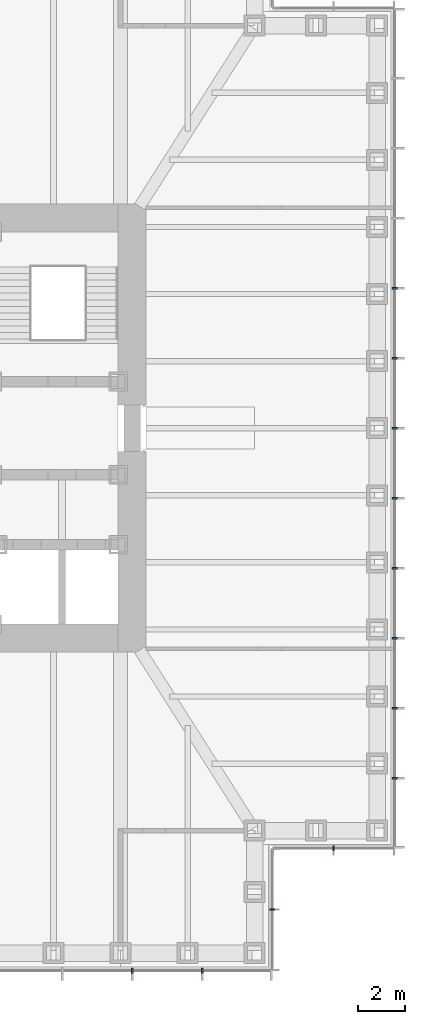
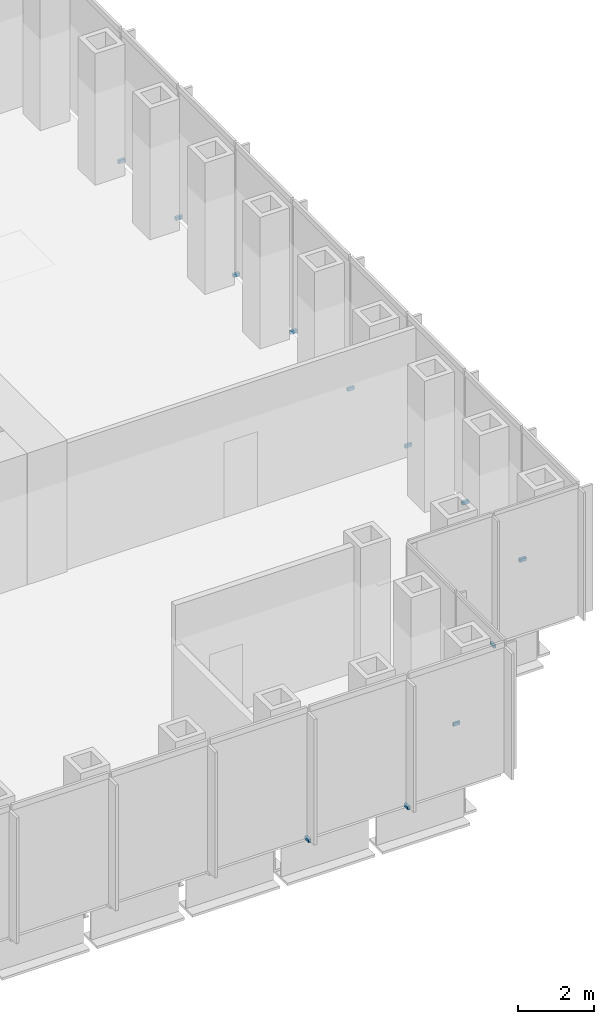
# One storey, part 13 of 16: 12 discrete accessories.
"""IFC4 building model written with IfcOpenShell, lengths in metres."""

from ifc_helpers import new_model, si_unit, direction, frame, origin, origin_2d, place, context, subcontext, project, spatial, rectangle, extrude, element, save


model = new_model("IFC4")

# Units and contexts
model_context = context("Model", 3, precision=1e-05, world=origin(), true_north=direction((0.0, 1.0)))
body_context = subcontext(model_context, "Body", "Model", "MODEL_VIEW")
ifc_project = project(units=[si_unit("LENGTHUNIT", "METRE"), si_unit("AREAUNIT", "SQUARE_METRE"), si_unit("VOLUMEUNIT", "CUBIC_METRE"), si_unit("PLANEANGLEUNIT", "RADIAN"), si_unit("MASSUNIT", "GRAM", prefix="KILO")], contexts=[model_context])

# Site, building, storey
site_placement = place(None, origin())
site = spatial("IfcSite", under=ifc_project, at=site_placement, CompositionType="ELEMENT")
building_placement = place(site_placement, origin())
building = spatial("IfcBuilding", under=site, at=building_placement, Name="Daluyong Arena Tower", CompositionType="ELEMENT")
storey_placement = place(building_placement, frame((0.0, 0.0, 120.699951171875)))
storey = spatial("IfcBuildingStorey", under=building, at=storey_placement, Name="L26", CompositionType="ELEMENT", Elevation=120.699951171875)

# Discrete accessories
for number, where, z_axis, x_axis, name in (
    (1, (68.0, 56.75, -0.10009765625), (0.0, 0.0, 1.0), (1.0, 0.0, 0.0), "curtain wall L26 S anchor bracket 11"),
    (2, (71.0, 56.75, -0.10009765625), (0.0, 0.0, 1.0), (1.0, 0.0, 0.0), "curtain wall L26 S anchor bracket 12"),
):
    element("IfcDiscreteAccessory", number, at=place(storey_placement, frame(where, z_axis=z_axis, x_axis=x_axis)), inside=storey, Name=name, PredefinedType="BRACKET", context=body_context, shape_type="SweptSolid", body=[
        extrude(rectangle(XDim=0.080078125, YDim=0.199951171875, at=origin_2d()), origin(), (0.0, 0.0, 1.0), 0.10009765625),
    ])
for number, where, z_axis, x_axis, name in (
    (3, (74.0, 59.375, -0.10009765625), (0.0, 0.0, 1.0), (0.0, 1.0, 0.0), "curtain wall L26 SE-E anchor bracket 2"),
    (4, (76.625, 62.0, -0.10009765625), (0.0, 0.0, 1.0), (1.0, 0.0, 0.0), "curtain wall L26 SE-S anchor bracket 2"),
):
    element("IfcDiscreteAccessory", number, at=place(storey_placement, frame(where, z_axis=z_axis, x_axis=x_axis)), inside=storey, Name=name, PredefinedType="BRACKET", context=body_context, shape_type="SweptSolid", body=[
        extrude(rectangle(XDim=0.06005859375, YDim=0.199951171875, at=origin_2d()), origin(), (0.0, 0.0, 1.0), 0.10009765625),
    ])
for number, where, z_axis, x_axis, name in (
    (5, (79.25, 65.0, -0.10009765625), (0.0, 0.0, 1.0), (0.0, 1.0, 0.0), "curtain wall L26 E anchor bracket 2"),
    (6, (79.25, 68.0, -0.10009765625), (0.0, 0.0, 1.0), (0.0, 1.0, 0.0), "curtain wall L26 E anchor bracket 3"),
    (7, (79.25, 71.0, -0.10009765625), (0.0, 0.0, 1.0), (0.0, 1.0, 0.0), "curtain wall L26 E anchor bracket 4"),
    (8, (79.25, 74.0, -0.10009765625), (0.0, 0.0, 1.0), (0.0, 1.0, 0.0), "curtain wall L26 E anchor bracket 5"),
    (9, (79.25, 77.0, -0.10009765625), (0.0, 0.0, 1.0), (0.0, 1.0, 0.0), "curtain wall L26 E anchor bracket 6"),
    (10, (79.25, 80.0, -0.10009765625), (0.0, 0.0, 1.0), (0.0, 1.0, 0.0), "curtain wall L26 E anchor bracket 7"),
    (11, (79.25, 83.0, -0.10009765625), (0.0, 0.0, 1.0), (0.0, 1.0, 0.0), "curtain wall L26 E anchor bracket 8"),
    (12, (79.25, 86.0, -0.10009765625), (0.0, 0.0, 1.0), (0.0, 1.0, 0.0), "curtain wall L26 E anchor bracket 9"),
):
    element("IfcDiscreteAccessory", number, at=place(storey_placement, frame(where, z_axis=z_axis, x_axis=x_axis)), inside=storey, Name=name, PredefinedType="BRACKET", context=body_context, shape_type="SweptSolid", body=[
        extrude(rectangle(XDim=0.080078125, YDim=0.199951171875, at=origin_2d()), origin(), (0.0, 0.0, 1.0), 0.10009765625),
    ])

save(model, "model.ifc")
